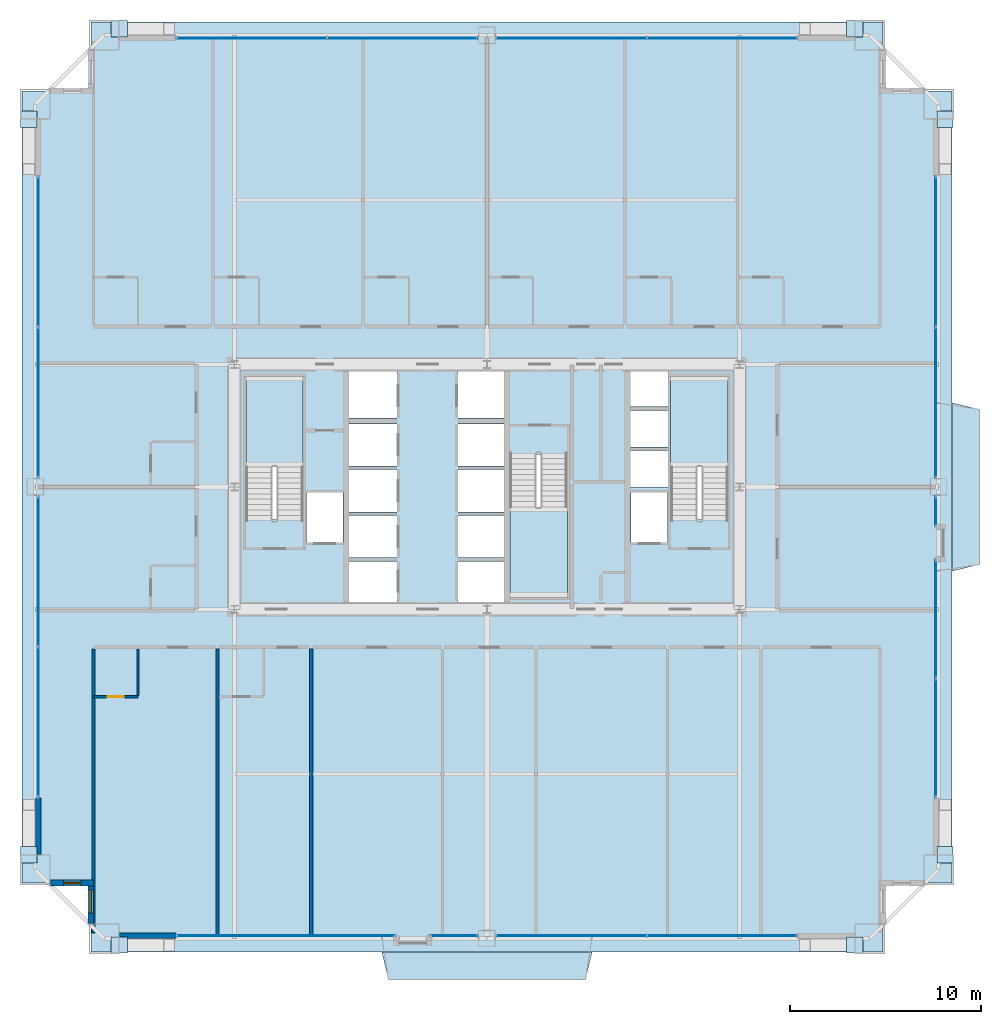
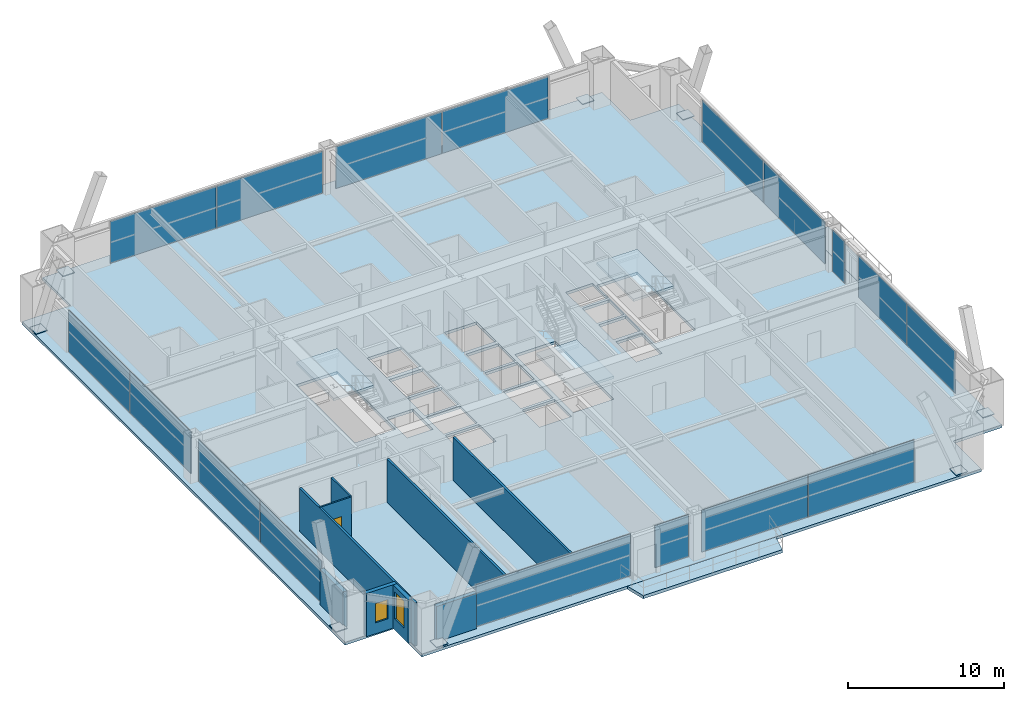
# One storey, part 37 of 43: 25 plates, 9 walls, 6 slabs, 2 windows, 1 door, 3 openings, 13 elements without a shape of their own.
"""IFC4 building model written with IfcOpenShell, lengths in metres."""

from ifc_helpers import new_model, si_unit, direction, frame, frame_2d, origin, origin_2d, place, context, subcontext, project, spatial, polyline, rectangle, outline, extrude, source, transform, mapped, material, layer, layer_set, type_object, element, fill, aggregate, save


model = new_model("IFC4")

# Units and contexts
model_context = context("Model", 3, precision=1e-05, world=origin(), true_north=direction((0.0, 1.0)))
body_context = subcontext(model_context, "Body", "Model", "MODEL_VIEW")
ifc_project = project(units=[si_unit("LENGTHUNIT", "METRE"), si_unit("AREAUNIT", "SQUARE_METRE"), si_unit("VOLUMEUNIT", "CUBIC_METRE"), si_unit("PLANEANGLEUNIT", "RADIAN"), si_unit("MASSUNIT", "GRAM", prefix="KILO"), si_unit("THERMODYNAMICTEMPERATUREUNIT", "KELVIN"), si_unit("POWERUNIT", "WATT")], contexts=[model_context])

# Site, building, storey
site_placement = place(None, origin())
site = spatial("IfcSite", under=ifc_project, at=site_placement, CompositionType="ELEMENT")
building_placement = place(site_placement, origin())
building = spatial("IfcBuilding", under=site, at=building_placement, Name="Yuzanri Waterfront Tower", CompositionType="ELEMENT")
storey_placement = place(building_placement, frame((0.0, 0.0, 159.60009765625)))
storey = spatial("IfcBuildingStorey", under=building, at=storey_placement, Name="L42", CompositionType="ELEMENT", Elevation=159.60009765625)

# Stair, slab
ifc_material_1 = material(Name="Concrete C40", Category="concrete")
stair_type = type_object("IfcStairType", Name="Concrete C40 Core Dogleg Exit Stair", PredefinedType="HALF_TURN_STAIR", material=ifc_material_1)
stair_1_placement = place(storey_placement, origin())
stair_1 = element("IfcStair", 1, at=stair_1_placement, inside=storey, type_object=stair_type, Name="L42 Smoke-Proof Core Stair ST-01", PredefinedType="HALF_TURN_STAIR")
ifc_material_2 = material(Name="Concrete C40", Category="concrete")
ifc_layer_1 = layer(ifc_material_2, 0.179931640625)
ifc_layer_set_1 = layer_set([ifc_layer_1], Name="Concrete C40")
slab_type_1 = type_object("IfcSlabType", Name="Concrete C40 Stair Half-Landing Slab 180", PredefinedType="LANDING", material=ifc_layer_set_1)
slab_1_placement = place(storey_placement, frame((0.0, 0.0, 1.599853515625)))
slab_1 = element("IfcSlab", 2, at=slab_1_placement, type_object=slab_type_1, Name="ST-01 landing 1", PredefinedType="LANDING", context=body_context, shape_type="SweptSolid", body=[
    extrude(outline(polyline([(27.39990234375, 26.840087890625), (27.39990234375, 31.580078125), (24.39990234375, 31.580078125), (24.39990234375, 26.840087890625), (27.39990234375, 26.840087890625)])), origin(), (0.0, 0.0, 1.0), 0.199951171875),
])
aggregate(stair_1, [slab_1])

stair_2_placement = place(storey_placement, origin())
stair_2 = element("IfcStair", 3, at=stair_2_placement, inside=storey, type_object=stair_type, Name="L42 Smoke-Proof Core Stair ST-02", PredefinedType="HALF_TURN_STAIR")
slab_2_placement = place(storey_placement, frame((0.0, 0.0, 1.599853515625)))
slab_2 = element("IfcSlab", 4, at=slab_2_placement, type_object=slab_type_1, Name="ST-02 landing 1", PredefinedType="LANDING", context=body_context, shape_type="SweptSolid", body=[
    extrude(outline(polyline([(49.60009765625, 26.840087890625), (49.60009765625, 31.580078125), (46.60009765625, 31.580078125), (46.60009765625, 26.840087890625), (49.60009765625, 26.840087890625)])), origin(), (0.0, 0.0, 1.0), 0.199951171875),
])
aggregate(stair_2, [slab_2])

stair_3_placement = place(storey_placement, origin())
stair_3 = element("IfcStair", 5, at=stair_3_placement, inside=storey, type_object=stair_type, Name="L42 Smoke-Proof Core Stair ST-03", PredefinedType="HALF_TURN_STAIR")
slab_3_placement = place(storey_placement, frame((0.0, 0.0, 1.599853515625)))
slab_3 = element("IfcSlab", 6, at=slab_3_placement, type_object=slab_type_1, Name="ST-03 landing 1", PredefinedType="LANDING", context=body_context, shape_type="SweptSolid", body=[
    extrude(outline(polyline([(38.199951171875, 24.760009765625), (38.199951171875, 20.02001953125), (41.199951171875, 20.02001953125), (41.199951171875, 24.760009765625), (38.199951171875, 24.760009765625)])), origin(), (0.0, 0.0, 1.0), 0.199951171875),
])
aggregate(stair_3, [slab_3])

# Slabs
ifc_material_3 = material(Name="Concrete C40", Category="concrete")
ifc_layer_2 = layer(ifc_material_3, 0.25)
ifc_layer_set_2 = layer_set([ifc_layer_2], Name="Concrete C40")
slab_type_2 = type_object("IfcSlabType", Name="Concrete C40 Stepped Gorge Pocket Garden Terrace Slab 250", PredefinedType="FLOOR", material=ifc_layer_set_2)
slab_4_placement = place(storey_placement, frame((0.0, 0.0, -0.25)))
element("IfcSlab", 7, at=slab_4_placement, inside=storey, type_object=slab_type_2, Name="L42 S Cantilevered Engawa Terrace Slab", PredefinedType="FLOOR", context=body_context, shape_type="SweptSolid", body=[
    extrude(outline(polyline([(31.5029296875, 1.5), (42.4970703125, 1.5), (42.14697265625, 0.06005859375), (31.85302734375, 0.06005859375), (31.5029296875, 1.5)])), origin(), (0.0, 0.0, 1.0), 0.25),
])
slab_5_placement = place(storey_placement, frame((0.0, 0.0, -0.25)))
element("IfcSlab", 8, at=slab_5_placement, inside=storey, type_object=slab_type_2, Name="L42 E Cantilevered Engawa Terrace Slab", PredefinedType="FLOOR", context=body_context, shape_type="SweptSolid", body=[
    extrude(outline(polyline([(61.300048828125, 21.39990234375), (62.739990234375, 21.75), (62.739990234375, 29.85009765625), (61.300048828125, 30.199951171875), (61.300048828125, 21.39990234375)])), origin(), (0.0, 0.0, 1.0), 0.25),
])
ifc_material_4 = material(Name="Concrete C40", Category="concrete")
ifc_layer_3 = layer(ifc_material_4, 0.219970703125)
ifc_layer_set_3 = layer_set([ifc_layer_3], Name="Concrete C40")
slab_type_3 = type_object("IfcSlabType", Name="Concrete C40 Tower Typical Structural Floor Slab 220", PredefinedType="FLOOR", material=ifc_layer_set_3)
slab_6_placement = place(storey_placement, frame((0.0, 0.0, -0.22021484375)))
element("IfcSlab", 9, at=slab_6_placement, inside=storey, type_object=slab_type_3, Name="L42 Main Structural Floor Slab", PredefinedType="FLOOR", context=body_context, shape_type="SweptSolid", body=[
    extrude(outline(polyline([(16.300048828125, 1.5), (57.699951171875, 1.5), (57.699951171875, 5.10009765625), (61.300048828125, 5.10009765625), (61.300048828125, 46.5), (57.699951171875, 46.5), (57.699951171875, 50.10009765625), (16.300048828125, 50.10009765625), (16.300048828125, 46.5), (12.699951171875, 46.5), (12.699951171875, 5.10009765625), (16.300048828125, 5.10009765625), (16.300048828125, 1.5)]), holes=[polyline([(27.39990234375, 24.10009765625), (27.39990234375, 31.580078125), (24.39990234375, 31.580078125), (24.39990234375, 24.10009765625), (27.39990234375, 24.10009765625)]), polyline([(49.60009765625, 24.10009765625), (49.60009765625, 31.580078125), (46.60009765625, 31.580078125), (46.60009765625, 24.10009765625), (49.60009765625, 24.10009765625)]), polyline([(38.199951171875, 27.5), (38.199951171875, 20.02001953125), (41.199951171875, 20.02001953125), (41.199951171875, 27.5), (38.199951171875, 27.5)]), polyline([(27.56005859375, 22.89990234375), (29.47998046875, 22.89990234375), (29.47998046875, 25.5), (27.56005859375, 25.5), (27.56005859375, 22.89990234375)]), polyline([(44.52001953125, 22.89990234375), (46.43994140625, 22.89990234375), (46.43994140625, 25.5), (44.52001953125, 25.5), (44.52001953125, 22.89990234375)]), polyline([(29.800048828125, 19.699951171875), (32.300048828125, 19.699951171875), (32.300048828125, 21.89990234375), (29.800048828125, 21.89990234375), (29.800048828125, 19.699951171875)]), polyline([(29.800048828125, 22.10009765625), (32.300048828125, 22.10009765625), (32.300048828125, 24.300048828125), (29.800048828125, 24.300048828125), (29.800048828125, 22.10009765625)]), polyline([(29.800048828125, 24.5), (32.300048828125, 24.5), (32.300048828125, 26.699951171875), (29.800048828125, 26.699951171875), (29.800048828125, 24.5)]), polyline([(29.800048828125, 26.89990234375), (32.300048828125, 26.89990234375), (32.300048828125, 29.10009765625), (29.800048828125, 29.10009765625), (29.800048828125, 26.89990234375)]), polyline([(29.800048828125, 29.39990234375), (32.300048828125, 29.39990234375), (32.300048828125, 31.89990234375), (29.800048828125, 31.89990234375), (29.800048828125, 29.39990234375)]), polyline([(35.5, 19.699951171875), (37.89990234375, 19.699951171875), (37.89990234375, 21.89990234375), (35.5, 21.89990234375), (35.5, 19.699951171875)]), polyline([(35.5, 22.10009765625), (37.89990234375, 22.10009765625), (37.89990234375, 24.300048828125), (35.5, 24.300048828125), (35.5, 22.10009765625)]), polyline([(35.5, 24.5), (37.89990234375, 24.5), (37.89990234375, 26.699951171875), (35.5, 26.699951171875), (35.5, 24.5)]), polyline([(35.5, 26.89990234375), (37.89990234375, 26.89990234375), (37.89990234375, 29.10009765625), (35.5, 29.10009765625), (35.5, 26.89990234375)]), polyline([(35.5, 29.39990234375), (37.89990234375, 29.39990234375), (37.89990234375, 31.89990234375), (35.5, 31.89990234375), (35.5, 29.39990234375)]), polyline([(44.5, 25.800048828125), (46.5, 25.800048828125), (46.5, 27.699951171875), (44.5, 27.699951171875), (44.5, 25.800048828125)]), polyline([(44.5, 27.89990234375), (46.5, 27.89990234375), (46.5, 29.800048828125), (44.5, 29.800048828125), (44.5, 27.89990234375)]), polyline([(44.5, 30.0), (46.5, 30.0), (46.5, 31.89990234375), (44.5, 31.89990234375), (44.5, 30.0)])]), origin(), (0.0, 0.0, 1.0), 0.22021484375),
])

# Plates
ifc_material_5 = material(Name="Steel Q420GJC", Category="steel")
ifc_layer_4 = layer(ifc_material_5, 0.0400390625)
ifc_layer_set_4 = layer_set([ifc_layer_4], Name="Steel Q420GJC")
plate_type_1 = type_object("IfcPlateType", Name="Steel Q420GJC Mega-Brace Gusset and End-Cap Plate 40", PredefinedType="SHEET", material=ifc_layer_set_4)
shared_shape_1 = source(origin(), body_context, "Body", "SweptSolid", [
    extrude(rectangle(XDim=0.85009765625, YDim=0.85009765625, at=origin_2d()), origin(), (0.0, 0.0, 1.0), 0.0400390625),
])
for number, where, z_axis, x_axis, name in (
    (10, (17.780029296875, 1.860107421875, 0.159912109375), (0.0, 0.0, 1.0), (1.0, 0.0, 0.0), "L42 Mega-Brace Foot Cap Plate S-L"),
    (11, (56.219970703125, 1.860107421875, 0.159912109375), (0.0, 0.0, 1.0), (1.0, 0.0, 0.0), "L42 Mega-Brace Foot Cap Plate S-R"),
    (12, (17.780029296875, 49.739990234375, 0.159912109375), (0.0, 0.0, 1.0), (1.0, 0.0, 0.0), "L42 Mega-Brace Foot Cap Plate N-L"),
    (13, (56.219970703125, 49.739990234375, 0.159912109375), (0.0, 0.0, 1.0), (1.0, 0.0, 0.0), "L42 Mega-Brace Foot Cap Plate N-R"),
    (14, (13.06005859375, 6.580078125, 0.159912109375), (0.0, 0.0, 1.0), (1.0, 0.0, 0.0), "L42 Mega-Brace Foot Cap Plate W-L"),
    (15, (13.06005859375, 45.02001953125, 0.159912109375), (0.0, 0.0, 1.0), (1.0, 0.0, 0.0), "L42 Mega-Brace Foot Cap Plate W-R"),
    (16, (60.93994140625, 6.580078125, 0.159912109375), (0.0, 0.0, 1.0), (1.0, 0.0, 0.0), "L42 Mega-Brace Foot Cap Plate E-L"),
    (17, (60.93994140625, 45.02001953125, 0.159912109375), (0.0, 0.0, 1.0), (1.0, 0.0, 0.0), "L42 Mega-Brace Foot Cap Plate E-R"),
):
    element("IfcPlate", number, at=place(storey_placement, frame(where, z_axis=z_axis, x_axis=x_axis)), inside=storey, type_object=plate_type_1, Name=name, PredefinedType="SHEET", context=body_context, shape_type="MappedRepresentation", body=[
        mapped(shared_shape_1, transform((0.0, 0.0, 0.0), scale=1.0)),
    ])

# Curtain wall, plate
ifc_material_6 = material(Name="Anodized Architectural Bronze", Category="metal")
ifc_layer_5 = layer(ifc_material_6, 0.159912109375)
ifc_layer_set_5 = layer_set([ifc_layer_5], Name="Anodized Architectural Bronze")
curtain_wall_type = type_object("IfcCurtainWallType", Name="Anodized Bronze Hotel Upper-Tier Solar-Control Unitized Curtain Wall 7800", PredefinedType="NOTDEFINED", material=ifc_layer_set_5)
curtain_wall_1_placement = place(storey_placement, origin())
curtain_wall_1 = element("IfcCurtainWall", 18, at=curtain_wall_1_placement, inside=storey, type_object=curtain_wall_type, Name="L42 Curtain Wall CW-L42-EL2", PredefinedType="NOTDEFINED")
ifc_material_7 = material(Name="Double-Silver Low-E Insulated Glass", Category="glass")
ifc_layer_6 = layer(ifc_material_7, 0.035888671875)
ifc_layer_set_6 = layer_set([ifc_layer_6], Name="Double-Silver Low-E Insulated Glass")
plate_type_2 = type_object("IfcPlateType", Name="Double Silver Low-E Insulated Vision Glass Panel 36", PredefinedType="CURTAIN_PANEL", material=ifc_layer_set_6)
shared_shape_2 = source(origin(), body_context, "Body", "SweptSolid", [
    extrude(rectangle(XDim=1.544921875, YDim=0.035888671875, at=origin_2d()), origin(), (0.0, 0.0, 1.0), 3.280029296875),
])
plate_1_placement = place(storey_placement, frame((60.449951171875, 24.53759765625, 0.0498046875), z_axis=(0.0, 0.0, 1.0), x_axis=(0.0, 1.0, 0.0)))
plate_1 = element("IfcPlate", 19, at=plate_1_placement, type_object=plate_type_2, Name="CW-L42-EL2 Vision Glass Panel 01", PredefinedType="CURTAIN_PANEL", context=body_context, shape_type="MappedRepresentation", body=[
    mapped(shared_shape_2, transform((0.0, 0.0, 0.0), scale=1.0)),
])
aggregate(curtain_wall_1, [plate_1])

# Curtain wall, plates
curtain_wall_2_placement = place(storey_placement, origin())
curtain_wall_2 = element("IfcCurtainWall", 20, at=curtain_wall_2_placement, inside=storey, type_object=curtain_wall_type, Name="L42 Curtain Wall CW-L42-SR", PredefinedType="NOTDEFINED")
shared_shape_3 = source(origin(), body_context, "Body", "SweptSolid", [
    extrude(rectangle(XDim=7.820068359375, YDim=0.035888671875, at=origin_2d()), origin(), (0.0, 0.0, 1.0), 3.280029296875),
])
plate_2_placement = place(storey_placement, frame((41.39990234375, 2.35009765625, 0.0498046875), z_axis=(0.0, 0.0, 1.0), x_axis=(1.0, 0.0, 0.0)))
plate_2 = element("IfcPlate", 21, at=plate_2_placement, type_object=plate_type_2, Name="CW-L42-SR Vision Glass Panel 01", PredefinedType="CURTAIN_PANEL", context=body_context, shape_type="MappedRepresentation", body=[
    mapped(shared_shape_3, transform((0.0, 0.0, 0.0), scale=1.0)),
])
plate_3_placement = place(storey_placement, frame((49.300048828125, 2.35009765625, 0.0498046875), z_axis=(0.0, 0.0, 1.0), x_axis=(1.0, 0.0, 0.0)))
plate_3 = element("IfcPlate", 22, at=plate_3_placement, type_object=plate_type_2, Name="CW-L42-SR Vision Glass Panel 02", PredefinedType="CURTAIN_PANEL", context=body_context, shape_type="MappedRepresentation", body=[
    mapped(shared_shape_3, transform((0.0, 0.0, 0.0), scale=1.0)),
])
aggregate(curtain_wall_2, [plate_2, plate_3])

curtain_wall_3_placement = place(storey_placement, origin())
curtain_wall_3 = element("IfcCurtainWall", 23, at=curtain_wall_3_placement, inside=storey, type_object=curtain_wall_type, Name="L42 Curtain Wall CW-L42-NL", PredefinedType="NOTDEFINED")
plate_4_placement = place(storey_placement, frame((24.699951171875, 49.25, 0.0498046875), z_axis=(0.0, 0.0, 1.0), x_axis=(1.0, 0.0, 0.0)))
plate_4 = element("IfcPlate", 24, at=plate_4_placement, type_object=plate_type_2, Name="CW-L42-NL Vision Glass Panel 01", PredefinedType="CURTAIN_PANEL", context=body_context, shape_type="MappedRepresentation", body=[
    mapped(shared_shape_3, transform((0.0, 0.0, 0.0), scale=1.0)),
])
plate_5_placement = place(storey_placement, frame((32.60009765625, 49.25, 0.0498046875), z_axis=(0.0, 0.0, 1.0), x_axis=(1.0, 0.0, 0.0)))
plate_5 = element("IfcPlate", 25, at=plate_5_placement, type_object=plate_type_2, Name="CW-L42-NL Vision Glass Panel 02", PredefinedType="CURTAIN_PANEL", context=body_context, shape_type="MappedRepresentation", body=[
    mapped(shared_shape_3, transform((0.0, 0.0, 0.0), scale=1.0)),
])
aggregate(curtain_wall_3, [plate_4, plate_5])

curtain_wall_4_placement = place(storey_placement, origin())
curtain_wall_4 = element("IfcCurtainWall", 26, at=curtain_wall_4_placement, inside=storey, type_object=curtain_wall_type, Name="L42 Curtain Wall CW-L42-NR", PredefinedType="NOTDEFINED")
plate_6_placement = place(storey_placement, frame((41.39990234375, 49.25, 0.0498046875), z_axis=(0.0, 0.0, 1.0), x_axis=(1.0, 0.0, 0.0)))
plate_6 = element("IfcPlate", 27, at=plate_6_placement, type_object=plate_type_2, Name="CW-L42-NR Vision Glass Panel 01", PredefinedType="CURTAIN_PANEL", context=body_context, shape_type="MappedRepresentation", body=[
    mapped(shared_shape_3, transform((0.0, 0.0, 0.0), scale=1.0)),
])
plate_7_placement = place(storey_placement, frame((49.300048828125, 49.25, 0.0498046875), z_axis=(0.0, 0.0, 1.0), x_axis=(1.0, 0.0, 0.0)))
plate_7 = element("IfcPlate", 28, at=plate_7_placement, type_object=plate_type_2, Name="CW-L42-NR Vision Glass Panel 02", PredefinedType="CURTAIN_PANEL", context=body_context, shape_type="MappedRepresentation", body=[
    mapped(shared_shape_3, transform((0.0, 0.0, 0.0), scale=1.0)),
])
aggregate(curtain_wall_4, [plate_6, plate_7])

curtain_wall_5_placement = place(storey_placement, origin())
curtain_wall_5 = element("IfcCurtainWall", 29, at=curtain_wall_5_placement, inside=storey, type_object=curtain_wall_type, Name="L42 Curtain Wall CW-L42-WL", PredefinedType="NOTDEFINED")
plate_8_placement = place(storey_placement, frame((13.550048828125, 13.5, 0.0498046875), z_axis=(0.0, 0.0, 1.0), x_axis=(0.0, 1.0, 0.0)))
plate_8 = element("IfcPlate", 30, at=plate_8_placement, type_object=plate_type_2, Name="CW-L42-WL Vision Glass Panel 01", PredefinedType="CURTAIN_PANEL", context=body_context, shape_type="MappedRepresentation", body=[
    mapped(shared_shape_3, transform((0.0, 0.0, 0.0), scale=1.0)),
])
plate_9_placement = place(storey_placement, frame((13.550048828125, 21.39990234375, 0.0498046875), z_axis=(0.0, 0.0, 1.0), x_axis=(0.0, 1.0, 0.0)))
plate_9 = element("IfcPlate", 31, at=plate_9_placement, type_object=plate_type_2, Name="CW-L42-WL Vision Glass Panel 02", PredefinedType="CURTAIN_PANEL", context=body_context, shape_type="MappedRepresentation", body=[
    mapped(shared_shape_3, transform((0.0, 0.0, 0.0), scale=1.0)),
])
aggregate(curtain_wall_5, [plate_8, plate_9])

curtain_wall_6_placement = place(storey_placement, origin())
curtain_wall_6 = element("IfcCurtainWall", 32, at=curtain_wall_6_placement, inside=storey, type_object=curtain_wall_type, Name="L42 Curtain Wall CW-L42-WR", PredefinedType="NOTDEFINED")
plate_10_placement = place(storey_placement, frame((13.550048828125, 30.199951171875, 0.0498046875), z_axis=(0.0, 0.0, 1.0), x_axis=(0.0, 1.0, 0.0)))
plate_10 = element("IfcPlate", 33, at=plate_10_placement, type_object=plate_type_2, Name="CW-L42-WR Vision Glass Panel 01", PredefinedType="CURTAIN_PANEL", context=body_context, shape_type="MappedRepresentation", body=[
    mapped(shared_shape_3, transform((0.0, 0.0, 0.0), scale=1.0)),
])
plate_11_placement = place(storey_placement, frame((13.550048828125, 38.10009765625, 0.0498046875), z_axis=(0.0, 0.0, 1.0), x_axis=(0.0, 1.0, 0.0)))
plate_11 = element("IfcPlate", 34, at=plate_11_placement, type_object=plate_type_2, Name="CW-L42-WR Vision Glass Panel 02", PredefinedType="CURTAIN_PANEL", context=body_context, shape_type="MappedRepresentation", body=[
    mapped(shared_shape_3, transform((0.0, 0.0, 0.0), scale=1.0)),
])
aggregate(curtain_wall_6, [plate_10, plate_11])

curtain_wall_7_placement = place(storey_placement, origin())
curtain_wall_7 = element("IfcCurtainWall", 35, at=curtain_wall_7_placement, inside=storey, type_object=curtain_wall_type, Name="L42 Curtain Wall CW-L42-ER", PredefinedType="NOTDEFINED")
plate_12_placement = place(storey_placement, frame((60.449951171875, 30.199951171875, 0.0498046875), z_axis=(0.0, 0.0, 1.0), x_axis=(0.0, 1.0, 0.0)))
plate_12 = element("IfcPlate", 36, at=plate_12_placement, type_object=plate_type_2, Name="CW-L42-ER Vision Glass Panel 01", PredefinedType="CURTAIN_PANEL", context=body_context, shape_type="MappedRepresentation", body=[
    mapped(shared_shape_3, transform((0.0, 0.0, 0.0), scale=1.0)),
])
plate_13_placement = place(storey_placement, frame((60.449951171875, 38.10009765625, 0.0498046875), z_axis=(0.0, 0.0, 1.0), x_axis=(0.0, 1.0, 0.0)))
plate_13 = element("IfcPlate", 37, at=plate_13_placement, type_object=plate_type_2, Name="CW-L42-ER Vision Glass Panel 02", PredefinedType="CURTAIN_PANEL", context=body_context, shape_type="MappedRepresentation", body=[
    mapped(shared_shape_3, transform((0.0, 0.0, 0.0), scale=1.0)),
])
aggregate(curtain_wall_7, [plate_12, plate_13])

curtain_wall_8_placement = place(storey_placement, origin())
curtain_wall_8 = element("IfcCurtainWall", 38, at=curtain_wall_8_placement, inside=storey, type_object=curtain_wall_type, Name="L42 Curtain Wall CW-L42-EL1", PredefinedType="NOTDEFINED")
shared_shape_4 = source(origin(), body_context, "Body", "SweptSolid", [
    extrude(rectangle(XDim=6.157470703125, YDim=0.035888671875, at=origin_2d()), origin(), (0.0, 0.0, 1.0), 3.280029296875),
])
plate_14_placement = place(storey_placement, frame((60.449951171875, 12.668701171875, 0.0498046875), z_axis=(0.0, 0.0, 1.0), x_axis=(0.0, 1.0, 0.0)))
plate_14 = element("IfcPlate", 39, at=plate_14_placement, type_object=plate_type_2, Name="CW-L42-EL1 Vision Glass Panel 01", PredefinedType="CURTAIN_PANEL", context=body_context, shape_type="MappedRepresentation", body=[
    mapped(shared_shape_4, transform((0.0, 0.0, 0.0), scale=1.0)),
])
plate_15_placement = place(storey_placement, frame((60.449951171875, 18.90625, 0.0498046875), z_axis=(0.0, 0.0, 1.0), x_axis=(0.0, 1.0, 0.0)))
plate_15 = element("IfcPlate", 40, at=plate_15_placement, type_object=plate_type_2, Name="CW-L42-EL1 Vision Glass Panel 02", PredefinedType="CURTAIN_PANEL", context=body_context, shape_type="MappedRepresentation", body=[
    mapped(shared_shape_4, transform((0.0, 0.0, 0.0), scale=1.0)),
])
aggregate(curtain_wall_8, [plate_14, plate_15])

# Curtain wall, plate
curtain_wall_9_placement = place(storey_placement, origin())
curtain_wall_9 = element("IfcCurtainWall", 41, at=curtain_wall_9_placement, inside=storey, type_object=curtain_wall_type, Name="L42 Curtain Wall CW-L42-SL1", PredefinedType="NOTDEFINED")
shared_shape_5 = source(origin(), body_context, "Body", "SweptSolid", [
    extrude(rectangle(XDim=11.447021484375, YDim=0.035888671875, at=origin_2d()), origin(), (0.0, 0.0, 1.0), 3.280029296875),
])
plate_16_placement = place(storey_placement, frame((26.513427734375, 2.35009765625, 0.0498046875), z_axis=(0.0, 0.0, 1.0), x_axis=(1.0, 0.0, 0.0)))
plate_16 = element("IfcPlate", 42, at=plate_16_placement, type_object=plate_type_2, Name="CW-L42-SL1 Vision Glass Panel 01", PredefinedType="CURTAIN_PANEL", context=body_context, shape_type="MappedRepresentation", body=[
    mapped(shared_shape_5, transform((0.0, 0.0, 0.0), scale=1.0)),
])
aggregate(curtain_wall_9, [plate_16])

curtain_wall_10_placement = place(storey_placement, origin())
curtain_wall_10 = element("IfcCurtainWall", 43, at=curtain_wall_10_placement, inside=storey, type_object=curtain_wall_type, Name="L42 Curtain Wall CW-L42-SL2", PredefinedType="NOTDEFINED")
shared_shape_6 = source(origin(), body_context, "Body", "SweptSolid", [
    extrude(rectangle(XDim=2.492919921875, YDim=0.035888671875, at=origin_2d()), origin(), (0.0, 0.0, 1.0), 3.280029296875),
])
plate_17_placement = place(storey_placement, frame((35.263427734375, 2.35009765625, 0.0498046875), z_axis=(0.0, 0.0, 1.0), x_axis=(1.0, 0.0, 0.0)))
plate_17 = element("IfcPlate", 44, at=plate_17_placement, type_object=plate_type_2, Name="CW-L42-SL2 Vision Glass Panel 01", PredefinedType="CURTAIN_PANEL", context=body_context, shape_type="MappedRepresentation", body=[
    mapped(shared_shape_6, transform((0.0, 0.0, 0.0), scale=1.0)),
])
aggregate(curtain_wall_10, [plate_17])

# Wall, opening, door
ifc_material_8 = material(Name="Moisture-Resistant Gypsum Stud Wall", Category="gypsum")
ifc_layer_7 = layer(ifc_material_8, 0.1201171875)
ifc_layer_set_7 = layer_set([ifc_layer_7], Name="Moisture-Resistant Gypsum Stud Wall")
wall_type_1 = type_object("IfcWallType", Name="Bathroom and Kitchen Wet Partition 120", PredefinedType="PARTITIONING", material=ifc_layer_set_7)
wall_1_placement = place(storey_placement, frame((16.43994140625, 14.840087890625, 0.0), z_axis=(0.0, 0.0, 1.0), x_axis=(1.0, 0.0, 0.0)))
wall_1 = element("IfcWall", 45, at=wall_1_placement, inside=storey, type_object=wall_type_1, Name="L42 Partition UW-L42-S1-BS", PredefinedType="PARTITIONING", context=body_context, shape_type="SweptSolid", body=[
    extrude(rectangle(XDim=2.330078125, YDim=0.1201171875, at=frame_2d((1.1650390625, 0.0))), origin(), (0.0, 0.0, 1.0), 3.3798828125),
])
opening_1_placement = place(wall_1_placement, frame((0.739990234375, 0.0, 0.0)))
opening_1 = element("IfcOpeningElement", 46, at=opening_1_placement, cuts=wall_1, Name="Opening ID-0850", PredefinedType="OPENING", context=body_context, shape_type="SweptSolid", body=[
    extrude(rectangle(XDim=0.85009765625, YDim=2.10009765625, at=frame_2d((0.425048828125, 1.050048828125))), frame((0.0, 0.074951171875, 0.0), z_axis=(0.0, -1.0, 0.0), x_axis=(1.0, 0.0, 0.0)), (0.0, 0.0, 1.0), 0.14990234375),
])
ifc_material_9 = material(Name="Moisture-Resistant Lacquered Timber", Category="wood")
door_type = type_object("IfcDoorType", Name="En-Suite Bathroom and Kitchen Swing Door 850x2100", OperationType="NOTDEFINED", PredefinedType="DOOR", material=ifc_material_9)
shared_shape_7 = source(origin(), body_context, "Body", "SweptSolid", [
    extrude(rectangle(XDim=0.85009765625, YDim=2.10009765625, at=frame_2d((0.425048828125, 1.050048828125))), frame((0.0, 0.02490234375, 0.0), z_axis=(0.0, -1.0, 0.0), x_axis=(1.0, 0.0, 0.0)), (0.0, 0.0, 1.0), 0.050048828125),
])
door_placement = place(opening_1_placement, origin())
door = element("IfcDoor", 47, at=door_placement, inside=storey, type_object=door_type, Name="L42 Guest En-Suite Door", OperationType="SINGLE_SWING_LEFT", OverallHeight=2.10009765625, OverallWidth=0.85009765625, PredefinedType="DOOR", context=body_context, shape_type="MappedRepresentation", body=[
    mapped(shared_shape_7, transform((0.0, 0.0, 0.0), scale=1.0)),
])
fill(opening_1, door)

# Wall, opening, window
ifc_material_10 = material(Name="Honed Chongqing Dark Basalt Stone", Category="masonry")
ifc_layer_8 = layer(ifc_material_10, 0.300048828125)
ifc_layer_set_8 = layer_set([ifc_layer_8], Name="Honed Chongqing Dark Basalt Stone")
wall_type_2 = type_object("IfcWallType", Name="Bronze Rainscreen Insulated Spandrel Portal Wall 300", PredefinedType="SOLIDWALL", material=ifc_layer_set_8)
wall_2_placement = place(storey_placement, frame((14.199951171875, 5.10009765625, 0.0), z_axis=(0.0, 0.0, 1.0), x_axis=(1.0, 0.0, 0.0)))
wall_2 = element("IfcWall", 48, at=wall_2_placement, inside=storey, type_object=wall_type_2, Name="L42 Notched Corner Masonry Wall SW-X", PredefinedType="SOLIDWALL", context=body_context, shape_type="SweptSolid", body=[
    extrude(rectangle(XDim=2.25, YDim=0.300048828125, at=frame_2d((1.125, 0.0))), origin(), (0.0, 0.0, 1.0), 3.3798828125),
])
opening_2_placement = place(wall_2_placement, frame((0.675048828125, 0.0, 0.85009765625)))
opening_2 = element("IfcOpeningElement", 49, at=opening_2_placement, cuts=wall_2, Name="Opening WN-05", PredefinedType="OPENING", context=body_context, shape_type="SweptSolid", body=[
    extrude(rectangle(XDim=0.89990234375, YDim=1.5, at=frame_2d((0.449951171875, 0.75))), frame((0.0, 0.1650390625, 0.0), z_axis=(0.0, -1.0, 0.0), x_axis=(1.0, 0.0, 0.0)), (0.0, 0.0, 1.0), 0.329833984375),
])
ifc_material_11 = material(Name="Double-Silver Low-E Insulated Glass", Category="glass")
window_type_1 = type_object("IfcWindowType", Name="Anodized Bronze Service and Stairwell Smoke-Vent Window 900x1500", PartitioningType="SINGLE_PANEL", PredefinedType="WINDOW", material=ifc_material_11)
shared_shape_8 = source(origin(), body_context, "Body", "SweptSolid", [
    extrude(rectangle(XDim=0.89990234375, YDim=1.5, at=frame_2d((0.449951171875, 0.75))), frame((0.0, 0.030029296875, 0.0), z_axis=(0.0, -1.0, 0.0), x_axis=(1.0, 0.0, 0.0)), (0.0, 0.0, 1.0), 0.06005859375),
])
window_1_placement = place(opening_2_placement, origin())
window_1 = element("IfcWindow", 50, at=window_1_placement, inside=storey, type_object=window_type_1, Name="L42 Notched Corner Window SW-X", OverallHeight=1.5, OverallWidth=0.89990234375, PartitioningType="SINGLE_PANEL", PredefinedType="WINDOW", context=body_context, shape_type="MappedRepresentation", body=[
    mapped(shared_shape_8, transform((0.0, 0.0, 0.0), scale=1.0)),
])
fill(opening_2, window_1)

wall_3_placement = place(storey_placement, frame((16.300048828125, 5.25, 0.0), z_axis=(0.0, 0.0, 1.0), x_axis=(0.0, -1.0, 0.0)))
wall_3 = element("IfcWall", 51, at=wall_3_placement, inside=storey, type_object=wall_type_2, Name="L42 Notched Corner Masonry Wall SW-Y", PredefinedType="SOLIDWALL", context=body_context, shape_type="SweptSolid", body=[
    extrude(rectangle(XDim=2.25, YDim=0.300048828125, at=frame_2d((1.125, 0.0))), origin(), (0.0, 0.0, 1.0), 3.3798828125),
])
opening_3_placement = place(wall_3_placement, frame((0.52490234375, 0.0, 0.85009765625)))
opening_3 = element("IfcOpeningElement", 52, at=opening_3_placement, cuts=wall_3, Name="Opening WN-02", PredefinedType="OPENING", context=body_context, shape_type="SweptSolid", body=[
    extrude(rectangle(XDim=1.199951171875, YDim=2.10009765625, at=frame_2d((0.60009765625, 1.050048828125))), frame((0.0, 0.1650390625, 0.0), z_axis=(0.0, -1.0, 0.0), x_axis=(1.0, 0.0, 0.0)), (0.0, 0.0, 1.0), 0.329833984375),
])
ifc_material_12 = material(Name="Double-Silver Low-E Insulated Glass", Category="glass")
window_type_2 = type_object("IfcWindowType", Name="Anodized Bronze Notched Corner Deep-Set Slot Window 1200x2100", PartitioningType="SINGLE_PANEL", PredefinedType="WINDOW", material=ifc_material_12)
shared_shape_9 = source(origin(), body_context, "Body", "SweptSolid", [
    extrude(rectangle(XDim=1.199951171875, YDim=2.10009765625, at=frame_2d((0.60009765625, 1.050048828125))), frame((0.0, 0.030029296875, 0.0), z_axis=(0.0, -1.0, 0.0), x_axis=(1.0, 0.0, 0.0)), (0.0, 0.0, 1.0), 0.06005859375),
])
window_2_placement = place(opening_3_placement, origin())
window_2 = element("IfcWindow", 53, at=window_2_placement, inside=storey, type_object=window_type_2, Name="L42 Notched Corner Window SW-Y", OverallHeight=2.10009765625, OverallWidth=1.199951171875, PartitioningType="SINGLE_PANEL", PredefinedType="WINDOW", context=body_context, shape_type="MappedRepresentation", body=[
    mapped(shared_shape_9, transform((0.0, 0.0, 0.0), scale=1.0)),
])
fill(opening_3, window_2)

# Walls
shared_shape_10 = source(origin(), body_context, "Body", "SweptSolid", [
    extrude(rectangle(XDim=2.949951171875, YDim=0.300048828125, at=frame_2d((1.47509765625, 0.0))), origin(), (0.0, 0.0, 1.0), 2.77490234375),
])
for number, where, z_axis, x_axis, name in (
    (54, (17.800048828125, 2.35009765625, 0.0), (0.0, 0.0, 1.0), (1.0, 0.0, 0.0), "L42 S Left Braced Masonry Shoulder"),
    (55, (13.550048828125, 6.60009765625, 0.0), (0.0, 0.0, 1.0), (0.0, 1.0, 0.0), "L42 W Left Braced Masonry Shoulder"),
):
    element("IfcWall", number, at=place(storey_placement, frame(where, z_axis=z_axis, x_axis=x_axis)), inside=storey, type_object=wall_type_2, Name=name, PredefinedType="SOLIDWALL", context=body_context, shape_type="MappedRepresentation", body=[
        mapped(shared_shape_10, transform((0.0, 0.0, 0.0), scale=1.0)),
    ])
shared_shape_11 = source(origin(), body_context, "Body", "SweptSolid", [
    extrude(rectangle(XDim=2.420166015625, YDim=0.1201171875, at=frame_2d((1.2099609375, 0.0))), origin(), (0.0, 0.0, 1.0), 3.3798828125),
])
wall_4_placement = place(storey_placement, frame((18.77001953125, 14.89990234375, 0.0), z_axis=(0.0, 0.0, 1.0), x_axis=(0.0, 1.0, 0.0)))
element("IfcWall", 56, at=wall_4_placement, inside=storey, type_object=wall_type_1, Name="L42-S1 En-Suite Side Wall", PredefinedType="PARTITIONING", context=body_context, shape_type="MappedRepresentation", body=[
    mapped(shared_shape_11, transform((0.0, 0.0, 0.0), scale=1.0)),
])
ifc_material_13 = material(Name="Gypsum Fireboard Acoustic Stud Wall", Category="gypsum")
ifc_layer_9 = layer(ifc_material_13, 0.159912109375)
ifc_layer_set_9 = layer_set([ifc_layer_9], Name="Gypsum Fireboard Acoustic Stud Wall")
wall_type_3 = type_object("IfcWallType", Name="Acoustic Suite Demising Partition 160", PredefinedType="PARTITIONING", material=ifc_layer_set_9)
shared_shape_12 = source(origin(), body_context, "Body", "SweptSolid", [
    extrude(rectangle(XDim=14.969970703125, YDim=0.159912109375, at=frame_2d((7.48486328125, 0.0))), origin(), (0.0, 0.0, 1.0), 3.3798828125),
])
for number, where, z_axis, x_axis, name in (
    (57, (22.930908203125, 2.35009765625, 0.0), (0.0, 0.0, 1.0), (0.0, 1.0, 0.0), "L42-S1 Party Wall"),
    (58, (27.818115234375, 2.35009765625, 0.0), (0.0, 0.0, 1.0), (0.0, 1.0, 0.0), "L42-S2 Party Wall"),
):
    element("IfcWall", number, at=place(storey_placement, frame(where, z_axis=z_axis, x_axis=x_axis)), inside=storey, type_object=wall_type_3, Name=name, PredefinedType="PARTITIONING", context=body_context, shape_type="MappedRepresentation", body=[
        mapped(shared_shape_12, transform((0.0, 0.0, 0.0), scale=1.0)),
    ])
shared_shape_13 = source(origin(), body_context, "Body", "SweptSolid", [
    extrude(rectangle(XDim=14.820068359375, YDim=0.159912109375, at=frame_2d((7.41015625, 0.0))), origin(), (0.0, 0.0, 1.0), 3.3798828125),
])
wall_5_placement = place(storey_placement, frame((16.449951171875, 2.5, 0.0), z_axis=(0.0, 0.0, 1.0), x_axis=(0.0, 1.0, 0.0)))
element("IfcWall", 59, at=wall_5_placement, inside=storey, type_object=wall_type_3, Name="L42 South Band West End Wall", PredefinedType="PARTITIONING", context=body_context, shape_type="MappedRepresentation", body=[
    mapped(shared_shape_13, transform((0.0, 0.0, 0.0), scale=1.0)),
])

save(model, "model.ifc")
